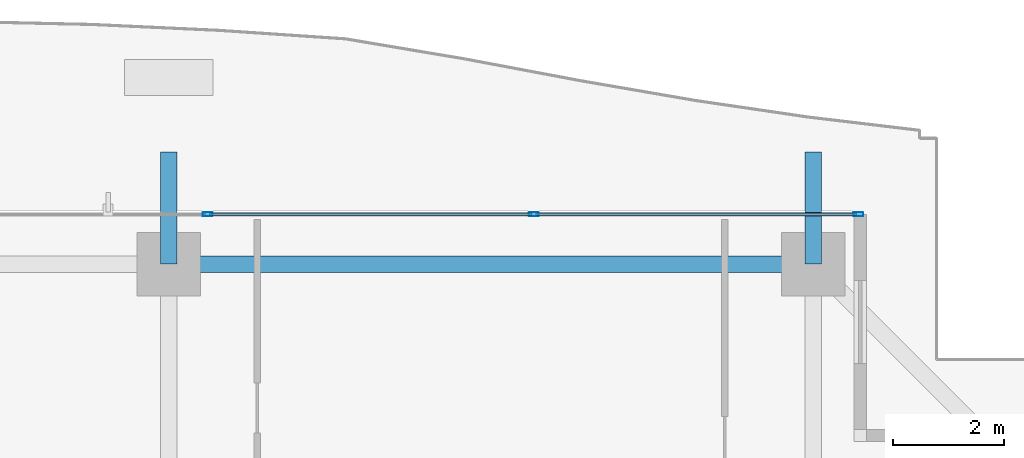
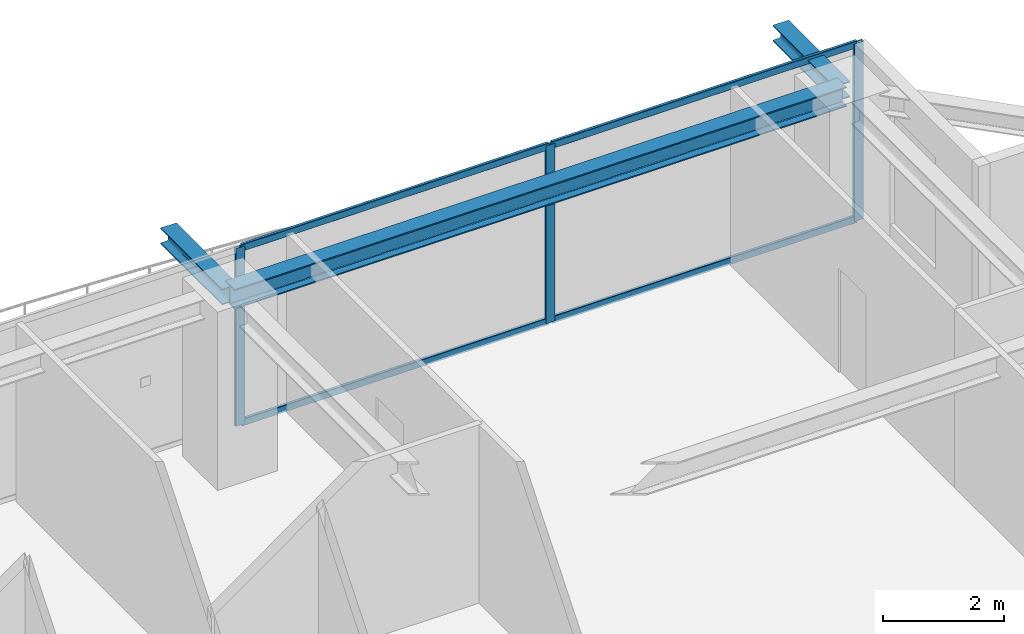
# One storey, part 25 of 40: 7 members, 3 beams, 1 element without a shape of its own.
"""IFC4 building model written with IfcOpenShell, lengths in metres."""

from ifc_helpers import new_model, si_unit, direction, frame, origin, origin_2d, place, context, subcontext, project, spatial, hollow_rectangle, i_section, extrude, source, transform, mapped, material, layer, layer_set, material_profile, profile_set, type_object, element, aggregate, save


model = new_model("IFC4")

# Units and contexts
model_context = context("Model", 3, precision=1e-05, world=origin(), true_north=direction((0.0, 1.0)))
body_context = subcontext(model_context, "Body", "Model", "MODEL_VIEW")
ifc_project = project(units=[si_unit("LENGTHUNIT", "METRE"), si_unit("AREAUNIT", "SQUARE_METRE"), si_unit("VOLUMEUNIT", "CUBIC_METRE"), si_unit("PLANEANGLEUNIT", "RADIAN"), si_unit("MASSUNIT", "GRAM", prefix="KILO")], contexts=[model_context])

# Site, building, storey
site_placement = place(None, origin())
site = spatial("IfcSite", under=ifc_project, at=site_placement, CompositionType="ELEMENT")
building_placement = place(site_placement, origin())
building = spatial("IfcBuilding", under=site, at=building_placement, Name="Serunith Strait Residences", CompositionType="ELEMENT")
storey_placement = place(building_placement, frame((0.0, 0.0, 252.800048828125)))
storey = spatial("IfcBuildingStorey", under=building, at=storey_placement, Name="L63", CompositionType="ELEMENT", Elevation=252.800048828125)

# Beams
ifc_material_1 = material(Name="Steel S355J2", Category="steel")
ifc_material_profile_1 = material_profile(ifc_material_1, i_section(OverallWidth=0.300048828125, OverallDepth=0.39990234375, WebThickness=0.013427734375, FlangeThickness=0.02392578125, FilletRadius=0.027099609375, at=origin_2d()), Name="HEB 400")
ifc_profile_set_1 = profile_set([ifc_material_profile_1], Name="Steel S355J2")
beam_type_1 = type_object("IfcBeamType", Name="BM-HEB400", PredefinedType="BEAM", material=ifc_profile_set_1)
shared_shape_1 = source(origin(), body_context, "Body", "SweptSolid", [
    extrude(i_section(OverallWidth=0.300048828125, OverallDepth=0.39990234375, WebThickness=0.013427734375, FlangeThickness=0.02392578125, FilletRadius=0.027099609375, at=origin_2d()), origin(), (0.0, 0.0, 1.0), 11.650146484375),
])
beam_placement = place(storey_placement, frame((48.550048828125, 48.300048828125, 3.386962890625), z_axis=(-1.0, 0.0, 0.0), x_axis=(0.0, -1.0, 0.0)))
element("IfcBeam", 1, at=beam_placement, inside=storey, type_object=beam_type_1, Name="L63 Perimeter Ring Beam 09", PredefinedType="BEAM", context=body_context, shape_type="MappedRepresentation", body=[
    mapped(shared_shape_1, transform((0.0, 0.0, 0.0), scale=1.0)),
])
ifc_material_profile_2 = material_profile(ifc_material_1, i_section(OverallWidth=0.300048828125, OverallDepth=0.320068359375, WebThickness=0.011474609375, FlangeThickness=0.0205078125, FilletRadius=0.027099609375, at=origin_2d()), Name="HEB 320")
ifc_profile_set_2 = profile_set([ifc_material_profile_2], Name="Steel S355J2")
beam_type_2 = type_object("IfcBeamType", Name="BM-HEB320", PredefinedType="BEAM", material=ifc_profile_set_2)
shared_shape_2 = source(origin(), body_context, "Body", "SweptSolid", [
    extrude(i_section(OverallWidth=0.300048828125, OverallDepth=0.320068359375, WebThickness=0.011474609375, FlangeThickness=0.0205078125, FilletRadius=0.027099609375, at=origin_2d()), origin(), (0.0, 0.0, 1.0), 2.030029296875),
])
for number, where, z_axis, x_axis, name in (
    (2, (36.89990234375, 48.300048828125, 3.39697265625), (0.0, 1.0, 0.0), (-1.0, 0.0, 0.0), "L64 Cantilevered Balcony Rib TC-N3"),
    (3, (48.550048828125, 48.300048828125, 3.39697265625), (0.0, 1.0, 0.0), (-1.0, 0.0, 0.0), "L64 Cantilevered Balcony Rib TC-N4"),
):
    element("IfcBeam", number, at=place(storey_placement, frame(where, z_axis=z_axis, x_axis=x_axis)), inside=storey, type_object=beam_type_2, Name=name, PredefinedType="BEAM", context=body_context, shape_type="MappedRepresentation", body=[
        mapped(shared_shape_2, transform((0.0, 0.0, 0.0), scale=1.0)),
    ])

# Curtain wall, members
ifc_material_2 = material(Name="Pale-Champagne Anodised Aluminium", Category="aluminium")
ifc_layer = layer(ifc_material_2, 0.199951171875, Name="Pale-Champagne Anodised Aluminium")
ifc_layer_set = layer_set([ifc_layer], Name="Pale-Champagne Anodised Aluminium")
curtain_wall_type = type_object("IfcCurtainWallType", Name="CW-SYS4", PredefinedType="NOTDEFINED", material=ifc_layer_set)
curtain_wall_placement = place(storey_placement, origin())
curtain_wall = element("IfcCurtainWall", 4, at=curtain_wall_placement, inside=storey, type_object=curtain_wall_type, Name="L63 N Unitised Fritted Curtain Wall", PredefinedType="NOTDEFINED")
ifc_material_profile_3 = material_profile(ifc_material_2, hollow_rectangle(XDim=0.06494140625, YDim=0.179931640625, WallThickness=0.00341796875, InnerFilletRadius=0.00537109375, OuterFilletRadius=0.0087890625, at=origin_2d()), Name="ALU 180x65x3.5")
ifc_profile_set_3 = profile_set([ifc_material_profile_3], Name="Pale-Champagne Anodised Aluminium")
member_type_1 = type_object("IfcMemberType", Name="CW-SYS4-MULL", PredefinedType="MULLION", material=ifc_profile_set_3)
shared_shape_3 = source(origin(), body_context, "Body", "SweptSolid", [
    extrude(hollow_rectangle(XDim=0.06494140625, YDim=0.179931640625, WallThickness=0.00341796875, InnerFilletRadius=0.00537109375, OuterFilletRadius=0.0087890625, at=origin_2d()), origin(), (0.0, 0.0, 1.0), 3.574951171875),
])
member_1_placement = place(storey_placement, frame((49.367431640625, 49.199951171875, 0.0), z_axis=(0.0, 0.0, 1.0), x_axis=(0.0, -1.0, 0.0)))
member_1 = element("IfcMember", 5, at=member_1_placement, type_object=member_type_1, Name="CW-4 mullion 1", PredefinedType="MULLION", context=body_context, shape_type="MappedRepresentation", body=[
    mapped(shared_shape_3, transform((0.0, 0.0, 0.0), scale=1.0)),
])
member_2_placement = place(storey_placement, frame((43.5, 49.199951171875, 0.0), z_axis=(0.0, 0.0, 1.0), x_axis=(0.0, -1.0, 0.0)))
member_2 = element("IfcMember", 6, at=member_2_placement, type_object=member_type_1, Name="CW-4 mullion 2", PredefinedType="MULLION", context=body_context, shape_type="MappedRepresentation", body=[
    mapped(shared_shape_3, transform((0.0, 0.0, 0.0), scale=1.0)),
])
member_3_placement = place(storey_placement, frame((37.60009765625, 49.199951171875, 0.0), z_axis=(0.0, 0.0, 1.0), x_axis=(0.0, -1.0, 0.0)))
member_3 = element("IfcMember", 7, at=member_3_placement, type_object=member_type_1, Name="CW-4 mullion 3", PredefinedType="MULLION", context=body_context, shape_type="MappedRepresentation", body=[
    mapped(shared_shape_3, transform((0.0, 0.0, 0.0), scale=1.0)),
])
ifc_material_profile_4 = material_profile(ifc_material_2, hollow_rectangle(XDim=0.06005859375, YDim=0.139892578125, WallThickness=0.00341796875, InnerFilletRadius=0.00537109375, OuterFilletRadius=0.0087890625, at=origin_2d()), Name="ALU 140x60x3.5")
ifc_profile_set_4 = profile_set([ifc_material_profile_4], Name="Pale-Champagne Anodised Aluminium")
member_type_2 = type_object("IfcMemberType", Name="CW-SYS4-TRAN", PredefinedType="USERDEFINED", material=ifc_profile_set_4)
shared_shape_4 = source(origin(), body_context, "Body", "SweptSolid", [
    extrude(hollow_rectangle(XDim=0.06005859375, YDim=0.139892578125, WallThickness=0.00341796875, InnerFilletRadius=0.00537109375, OuterFilletRadius=0.0087890625, at=origin_2d()), origin(), (0.0, 0.0, 1.0), 5.802490234375),
])
member_4_placement = place(storey_placement, frame((49.3349609375, 49.199951171875, 0.030029296875), z_axis=(-1.0, 0.0, 0.0), x_axis=(0.0, -1.0, 0.0)))
member_4 = element("IfcMember", 8, at=member_4_placement, type_object=member_type_2, Name="CW-4 transom 1.1", ObjectType="TRANSOM", PredefinedType="USERDEFINED", context=body_context, shape_type="MappedRepresentation", body=[
    mapped(shared_shape_4, transform((0.0, 0.0, 0.0), scale=1.0)),
])
member_5_placement = place(storey_placement, frame((49.3349609375, 49.199951171875, 3.544921875), z_axis=(-1.0, 0.0, 0.0), x_axis=(0.0, -1.0, 0.0)))
member_5 = element("IfcMember", 9, at=member_5_placement, type_object=member_type_2, Name="CW-4 transom 1.2", ObjectType="TRANSOM", PredefinedType="USERDEFINED", context=body_context, shape_type="MappedRepresentation", body=[
    mapped(shared_shape_4, transform((0.0, 0.0, 0.0), scale=1.0)),
])
shared_shape_5 = source(origin(), body_context, "Body", "SweptSolid", [
    extrude(hollow_rectangle(XDim=0.06005859375, YDim=0.139892578125, WallThickness=0.00341796875, InnerFilletRadius=0.00537109375, OuterFilletRadius=0.0087890625, at=origin_2d()), origin(), (0.0, 0.0, 1.0), 5.8349609375),
])
member_6_placement = place(storey_placement, frame((43.467529296875, 49.199951171875, 0.030029296875), z_axis=(-1.0, 0.0, 0.0), x_axis=(0.0, -1.0, 0.0)))
member_6 = element("IfcMember", 10, at=member_6_placement, type_object=member_type_2, Name="CW-4 transom 2.1", ObjectType="TRANSOM", PredefinedType="USERDEFINED", context=body_context, shape_type="MappedRepresentation", body=[
    mapped(shared_shape_5, transform((0.0, 0.0, 0.0), scale=1.0)),
])
member_7_placement = place(storey_placement, frame((43.467529296875, 49.199951171875, 3.544921875), z_axis=(-1.0, 0.0, 0.0), x_axis=(0.0, -1.0, 0.0)))
member_7 = element("IfcMember", 11, at=member_7_placement, type_object=member_type_2, Name="CW-4 transom 2.2", ObjectType="TRANSOM", PredefinedType="USERDEFINED", context=body_context, shape_type="MappedRepresentation", body=[
    mapped(shared_shape_5, transform((0.0, 0.0, 0.0), scale=1.0)),
])
aggregate(curtain_wall, [member_1, member_2, member_3, member_4, member_5, member_6, member_7])

save(model, "model.ifc")
